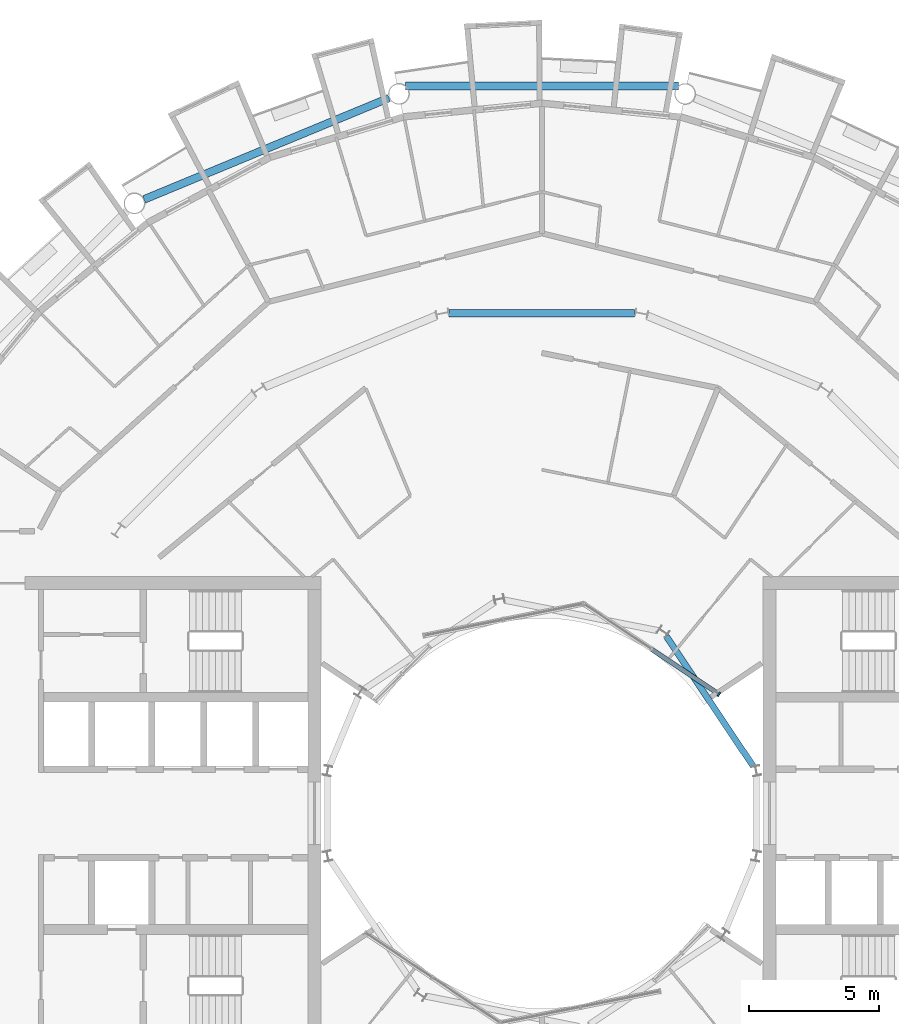
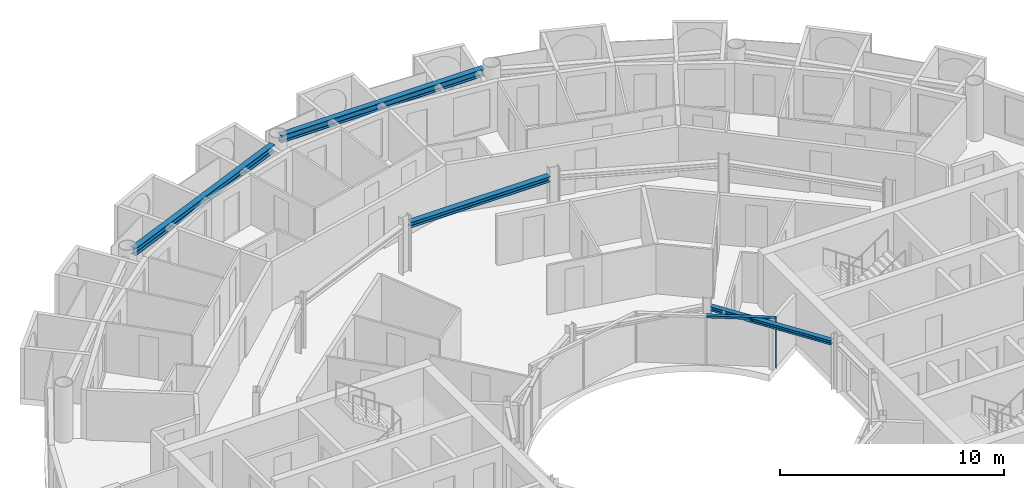
# One storey, part 9 of 26: 4 beams, 2 members, 1 element without a shape of its own.
"""IFC4 building model written with IfcOpenShell, lengths in metres."""

from ifc_helpers import new_model, si_unit, direction, frame, origin, origin_2d, place, context, subcontext, project, spatial, rectangle, i_section, extrude, material, layer, layer_set, material_profile, profile_set, type_object, element, aggregate, save


model = new_model("IFC4")

# Units and contexts
model_context = context("Model", 3, precision=1e-05, world=origin(), true_north=direction((0.0, 1.0)))
body_context = subcontext(model_context, "Body", "Model", "MODEL_VIEW")
ifc_project = project(units=[si_unit("LENGTHUNIT", "METRE"), si_unit("AREAUNIT", "SQUARE_METRE"), si_unit("VOLUMEUNIT", "CUBIC_METRE"), si_unit("PLANEANGLEUNIT", "RADIAN"), si_unit("MASSUNIT", "GRAM", prefix="KILO")], contexts=[model_context])

# Site, building, storey
site_placement = place(None, origin())
site = spatial("IfcSite", under=ifc_project, at=site_placement, CompositionType="ELEMENT")
building_placement = place(site_placement, origin())
building = spatial("IfcBuilding", under=site, at=building_placement, Name="Maasbend Ring Residences", CompositionType="ELEMENT")
storey_placement = place(building_placement, frame((0.0, 0.0, 161.60009765625)))
storey = spatial("IfcBuildingStorey", under=building, at=storey_placement, Name="L46", CompositionType="ELEMENT", Elevation=161.60009765625)

# Curtain wall, members
ifc_material_1 = material(Name="Aluminium and clear glass", Category="aluminium")
ifc_layer = layer(ifc_material_1, 0.179931640625)
ifc_layer_set = layer_set([ifc_layer], Name="CW-W")
curtain_wall_type = type_object("IfcCurtainWallType", Name="CW-W", PredefinedType="NOTDEFINED", material=ifc_layer_set)
curtain_wall_placement = place(storey_placement, origin())
curtain_wall = element("IfcCurtainWall", 1, at=curtain_wall_placement, inside=storey, type_object=curtain_wall_type, Name="Well curtain wall N1", PredefinedType="NOTDEFINED")
ifc_material_2 = material(Name="Aluminium 6063-T6", Category="aluminium")
ifc_material_profile_1 = material_profile(ifc_material_2, rectangle(XDim=0.179931640625, YDim=0.06005859375, at=origin_2d()), Name="AL 180x60")
ifc_profile_set_1 = profile_set([ifc_material_profile_1], Name="Aluminium 6063-T6")
member_type_1 = type_object("IfcMemberType", Name="CWM-W", PredefinedType="MULLION", material=ifc_profile_set_1)
member_1_placement = place(storey_placement, frame((6.805908203125, 4.580810546875, 0.0), z_axis=(0.0, 0.0, 1.0), x_axis=(-0.55557023302, -0.831469612303, 0.0)))
member_1 = element("IfcMember", 2, at=member_1_placement, type_object=member_type_1, Name="Mullion well face", PredefinedType="MULLION", context=body_context, shape_type="SweptSolid", body=[
    extrude(rectangle(XDim=0.179931640625, YDim=0.06005859375, at=origin_2d()), origin(), (0.0, 0.0, 1.0), 2.699951171875),
])
ifc_material_3 = material(Name="Aluminium 6063-T6", Category="aluminium")
ifc_material_profile_2 = material_profile(ifc_material_3, rectangle(XDim=0.179931640625, YDim=0.1201171875, at=origin_2d()), Name="AL 180x120")
ifc_profile_set_2 = profile_set([ifc_material_profile_2], Name="Aluminium 6063-T6")
member_type_2 = type_object("IfcMemberType", Name="CWT-W", PredefinedType="USERDEFINED", material=ifc_profile_set_2)
member_2_placement = place(storey_placement, frame((6.781005859375, 4.59765625, 2.639892578125), z_axis=(-0.831496422459, 0.555530106689, 0.0), x_axis=(-0.555530106689, -0.831496422459, 0.0)))
member_2 = element("IfcMember", 3, at=member_2_placement, type_object=member_type_2, Name="Transom well face", ObjectType="TRANSOM", PredefinedType="USERDEFINED", context=body_context, shape_type="SweptSolid", body=[
    extrude(rectangle(XDim=0.179931640625, YDim=0.1201171875, at=origin_2d()), origin(), (0.0, 0.0, 1.0), 3.053955078125),
])
aggregate(curtain_wall, [member_1, member_2])

# Beams
ifc_material_4 = material(Name="Steel S355J2", Category="steel")
ifc_material_profile_3 = material_profile(ifc_material_4, i_section(OverallWidth=0.300048828125, OverallDepth=0.2900390625, WebThickness=0.008544921875, FlangeThickness=0.013916015625, FilletRadius=0.027099609375, at=origin_2d()), Name="HEA 300")
ifc_profile_set_3 = profile_set([ifc_material_profile_3], Name="Steel S355J2")
beam_type_1 = type_object("IfcBeamType", Name="Corridor ring beam HEA 300", PredefinedType="BEAM", material=ifc_profile_set_3)
beam_1_placement = place(storey_placement, frame((3.56884765625, 19.223388671875, 2.554931640625), z_axis=(-1.0, 0.0, 0.0), x_axis=(0.0, -1.0, 0.0)))
element("IfcBeam", 4, at=beam_1_placement, inside=storey, type_object=beam_type_1, Name="Corridor ring beam", PredefinedType="BEAM", context=body_context, shape_type="SweptSolid", body=[
    extrude(i_section(OverallWidth=0.300048828125, OverallDepth=0.2900390625, WebThickness=0.008544921875, FlangeThickness=0.013916015625, FilletRadius=0.027099609375, at=origin_2d()), origin(), (0.0, 0.0, 1.0), 7.1376953125),
])
ifc_material_5 = material(Name="Steel S355J2", Category="steel")
ifc_material_profile_4 = material_profile(ifc_material_5, i_section(OverallWidth=0.300048828125, OverallDepth=0.39990234375, WebThickness=0.013427734375, FlangeThickness=0.02392578125, FilletRadius=0.027099609375, at=origin_2d()), Name="HEB 400")
ifc_profile_set_4 = profile_set([ifc_material_profile_4], Name="Steel S355J2")
beam_type_2 = type_object("IfcBeamType", Name="Spandrel ring beam HEB 400", PredefinedType="SPANDREL", material=ifc_profile_set_4)
beam_2_placement = place(storey_placement, frame((5.2451171875, 27.9580078125, 2.5), z_axis=(-1.0, 0.0, 0.0), x_axis=(0.0, -1.0, 0.0)))
element("IfcBeam", 5, at=beam_2_placement, inside=storey, type_object=beam_type_2, Name="Spandrel ring beam", PredefinedType="SPANDREL", context=body_context, shape_type="SweptSolid", body=[
    extrude(i_section(OverallWidth=0.300048828125, OverallDepth=0.39990234375, WebThickness=0.013427734375, FlangeThickness=0.02392578125, FilletRadius=0.027099609375, at=origin_2d()), origin(), (0.0, 0.0, 1.0), 10.490234375),
])
beam_3_placement = place(storey_placement, frame((-5.877197265625, 27.50244140625, 2.5), z_axis=(-0.923883676188, -0.382673428492, 0.0), x_axis=(0.382673428492, -0.923883676188, 0.0)))
element("IfcBeam", 6, at=beam_3_placement, inside=storey, type_object=beam_type_2, Name="Spandrel ring beam", PredefinedType="SPANDREL", context=body_context, shape_type="SweptSolid", body=[
    extrude(i_section(OverallWidth=0.300048828125, OverallDepth=0.39990234375, WebThickness=0.013427734375, FlangeThickness=0.02392578125, FilletRadius=0.027099609375, at=origin_2d()), origin(), (0.0, 0.0, 1.0), 10.18994140625),
])
ifc_material_6 = material(Name="Steel S355J2", Category="steel")
ifc_material_profile_5 = material_profile(ifc_material_6, i_section(OverallWidth=0.239990234375, OverallDepth=0.22998046875, WebThickness=0.007568359375, FlangeThickness=0.011962890625, FilletRadius=0.02099609375, at=origin_2d()), Name="HEA 240")
ifc_profile_set_5 = profile_set([ifc_material_profile_5], Name="Steel S355J2")
beam_type_3 = type_object("IfcBeamType", Name="Well edge beam HEA 240", PredefinedType="BEAM", material=ifc_profile_set_5)
beam_4_placement = place(storey_placement, frame((8.121337890625, 1.814208984375, 2.5849609375), z_axis=(-0.555553413909, 0.831480850227, 0.0), x_axis=(-0.831480850227, -0.555553413909, 0.0)))
element("IfcBeam", 7, at=beam_4_placement, inside=storey, type_object=beam_type_3, Name="Well edge beam", PredefinedType="BEAM", context=body_context, shape_type="SweptSolid", body=[
    extrude(i_section(OverallWidth=0.239990234375, OverallDepth=0.22998046875, WebThickness=0.007568359375, FlangeThickness=0.011962890625, FilletRadius=0.02099609375, at=origin_2d()), origin(), (0.0, 0.0, 1.0), 6.0068359375),
])

save(model, "model.ifc")
